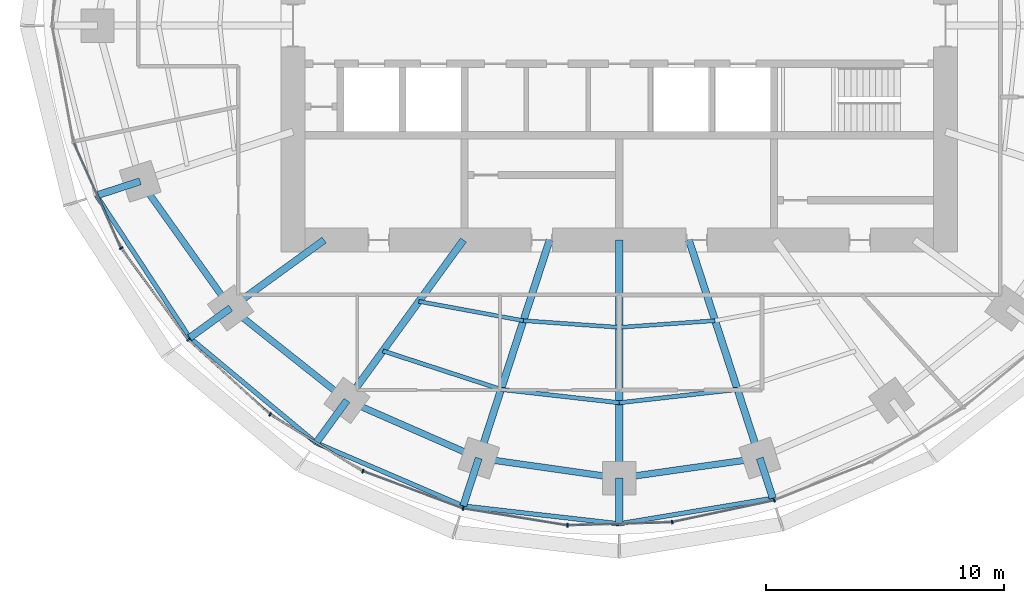
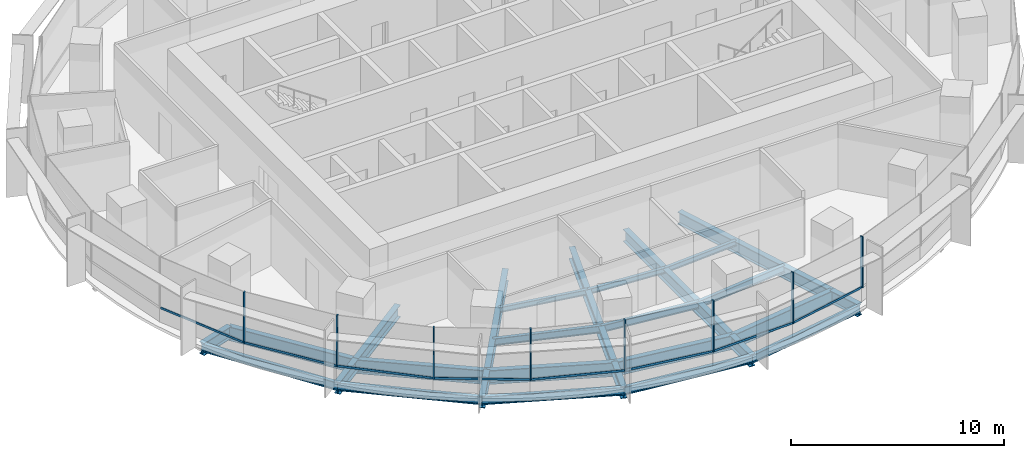
# One storey, part 2 of 14: 27 beams, 16 members, 2 elements without a shape of their own.
"""IFC4 building model written with IfcOpenShell, lengths in metres."""

from ifc_helpers import new_model, si_unit, direction, frame, origin, origin_2d, place, context, subcontext, project, spatial, rectangle, i_section, extrude, material, material_profile, profile_set, type_object, element, aggregate, save


model = new_model("IFC4")

# Units and contexts
model_context = context("Model", 3, precision=1e-05, world=origin(), true_north=direction((0.0, 1.0)))
body_context = subcontext(model_context, "Body", "Model", "MODEL_VIEW")
ifc_project = project(units=[si_unit("LENGTHUNIT", "METRE"), si_unit("AREAUNIT", "SQUARE_METRE"), si_unit("VOLUMEUNIT", "CUBIC_METRE"), si_unit("PLANEANGLEUNIT", "RADIAN"), si_unit("MASSUNIT", "GRAM", prefix="KILO")], contexts=[model_context])

# Site, building, storey
site_placement = place(None, origin())
site = spatial("IfcSite", under=ifc_project, at=site_placement, CompositionType="ELEMENT")
building_placement = place(site_placement, origin())
building = spatial("IfcBuilding", under=site, at=building_placement, Name="Marramba Exchange Tower", CompositionType="ELEMENT")
storey_placement = place(building_placement, frame((0.0, 0.0, 203.300048828125)))
storey = spatial("IfcBuildingStorey", under=building, at=storey_placement, Name="L49", CompositionType="ELEMENT", Elevation=203.300048828125)

# Beams
ifc_material_1 = material(Name="Steel AS/NZS 3679.2 grade 300", Category="steel")
ifc_material_profile_1 = material_profile(ifc_material_1, i_section(OverallWidth=0.300048828125, OverallDepth=0.699951171875, WebThickness=0.010009765625, FlangeThickness=0.031982421875, at=origin_2d()), Name="700WB173")
ifc_profile_set_1 = profile_set([ifc_material_profile_1], Name="Steel AS/NZS 3679.2 grade 300")
beam_type_1 = type_object("IfcBeamType", Name="Cantilever girder 700WB173", PredefinedType="BEAM", material=ifc_profile_set_1)
beam_1_placement = place(storey_placement, frame((-20.109375, -6.533935546875, -0.510009765625), z_axis=(-0.951071238541, -0.308971680287, 0.0), x_axis=(0.308971680287, -0.951071238541, 0.0)))
element("IfcBeam", 1, at=beam_1_placement, inside=storey, type_object=beam_type_1, Name="Cantilever girder L49 TC12", PredefinedType="BEAM", context=body_context, shape_type="SweptSolid", body=[
    extrude(i_section(OverallWidth=0.300048828125, OverallDepth=0.699951171875, WebThickness=0.010009765625, FlangeThickness=0.031982421875, at=origin_2d()), origin(), (0.0, 0.0, 1.0), 1.930419921875),
])
beam_2_placement = place(storey_placement, frame((-16.3154296875, -11.853759765625, -0.510009765625), z_axis=(-0.808969966943, -0.587849974555, 0.0), x_axis=(0.587849974555, -0.808969966943, 0.0)))
element("IfcBeam", 2, at=beam_2_placement, inside=storey, type_object=beam_type_1, Name="Cantilever girder L49 TC13", PredefinedType="BEAM", context=body_context, shape_type="SweptSolid", body=[
    extrude(i_section(OverallWidth=0.300048828125, OverallDepth=0.699951171875, WebThickness=0.010009765625, FlangeThickness=0.031982421875, at=origin_2d()), origin(), (0.0, 0.0, 1.0), 2.12109375),
])
beam_3_placement = place(storey_placement, frame((-11.430419921875, -15.732666015625, -0.510009765625), z_axis=(-0.587789596657, -0.809013837992, 0.0), x_axis=(0.809013837992, -0.587789596657, 0.0)))
element("IfcBeam", 3, at=beam_3_placement, inside=storey, type_object=beam_type_1, Name="Cantilever girder L49 TC14", PredefinedType="BEAM", context=body_context, shape_type="SweptSolid", body=[
    extrude(i_section(OverallWidth=0.300048828125, OverallDepth=0.699951171875, WebThickness=0.010009765625, FlangeThickness=0.031982421875, at=origin_2d()), origin(), (0.0, 0.0, 1.0), 2.203857421875),
])
beam_4_placement = place(storey_placement, frame((-5.899658203125, -18.156982421875, -0.510009765625), z_axis=(-0.308971068529, -0.951071437281, 0.0), x_axis=(0.951071437281, -0.308971068529, 0.0)))
element("IfcBeam", 4, at=beam_4_placement, inside=storey, type_object=beam_type_1, Name="Cantilever girder L49 TC15", PredefinedType="BEAM", context=body_context, shape_type="SweptSolid", body=[
    extrude(i_section(OverallWidth=0.300048828125, OverallDepth=0.699951171875, WebThickness=0.010009765625, FlangeThickness=0.031982421875, at=origin_2d()), origin(), (0.0, 0.0, 1.0), 2.112060546875),
])
beam_5_placement = place(storey_placement, frame((0.0, -18.99609375, -0.510009765625), z_axis=(0.0, -1.0, 0.0), x_axis=(1.0, 0.0, 0.0)))
element("IfcBeam", 5, at=beam_5_placement, inside=storey, type_object=beam_type_1, Name="Cantilever girder L49 TC16", PredefinedType="BEAM", context=body_context, shape_type="SweptSolid", body=[
    extrude(i_section(OverallWidth=0.300048828125, OverallDepth=0.699951171875, WebThickness=0.010009765625, FlangeThickness=0.031982421875, at=origin_2d()), origin(), (0.0, 0.0, 1.0), 1.917724609375),
])
beam_6_placement = place(storey_placement, frame((5.899658203125, -18.156982421875, -0.510009765625), z_axis=(0.308926813415, -0.951085813138, 0.0), x_axis=(0.951085813138, 0.308926813415, 0.0)))
element("IfcBeam", 6, at=beam_6_placement, inside=storey, type_object=beam_type_1, Name="Cantilever girder L49 TC17", PredefinedType="BEAM", context=body_context, shape_type="SweptSolid", body=[
    extrude(i_section(OverallWidth=0.300048828125, OverallDepth=0.699951171875, WebThickness=0.010009765625, FlangeThickness=0.031982421875, at=origin_2d()), origin(), (0.0, 0.0, 1.0), 1.767822265625),
])
ifc_material_2 = material(Name="Steel AS/NZS 3679.1 grade 300", Category="steel")
ifc_material_profile_2 = material_profile(ifc_material_2, i_section(OverallWidth=0.166015625, OverallDepth=0.306884765625, WebThickness=0.006591796875, FlangeThickness=0.01171875, FilletRadius=0.011474609375, at=origin_2d()), Name="310UB46.2")
ifc_profile_set_2 = profile_set([ifc_material_profile_2], Name="Steel AS/NZS 3679.1 grade 300")
beam_type_2 = type_object("IfcBeamType", Name="Floor joist 310UB46.2", PredefinedType="JOIST", material=ifc_profile_set_2)
beam_7_placement = place(storey_placement, frame((-8.41162109375, -11.57763671875, -0.3134765625), z_axis=(0.983455754421, -0.181148500119, 0.0), x_axis=(0.181148500119, 0.983455754421, 0.0)))
element("IfcBeam", 7, at=beam_7_placement, inside=storey, type_object=beam_type_2, Name="Joist L49 bay 14 row 1", PredefinedType="JOIST", context=body_context, shape_type="SweptSolid", body=[
    extrude(i_section(OverallWidth=0.166015625, OverallDepth=0.306884765625, WebThickness=0.006591796875, FlangeThickness=0.01171875, FilletRadius=0.011474609375, at=origin_2d()), origin(), (0.0, 0.0, 1.0), 4.4609375),
])
for number, where, z_axis, x_axis, name in (
    (8, (-4.0244140625, -12.3857421875, -0.3134765625), (0.99759625901, -0.069294328838, 0.0), (0.069294328838, 0.99759625901, 0.0), "Joist L49 bay 15 row 1"),
    (9, (0.0, -12.665283203125, -0.3134765625), (0.99759625901, 0.069294328838, 0.0), (-0.069294328838, 0.99759625901, 0.0), "Joist L49 bay 16 row 1"),
):
    element("IfcBeam", number, at=place(storey_placement, frame(where, z_axis=z_axis, x_axis=x_axis)), inside=storey, type_object=beam_type_2, Name=name, PredefinedType="JOIST", context=body_context, shape_type="SweptSolid", body=[
        extrude(i_section(OverallWidth=0.166015625, OverallDepth=0.306884765625, WebThickness=0.006591796875, FlangeThickness=0.01171875, FilletRadius=0.011474609375, at=origin_2d()), origin(), (0.0, 0.0, 1.0), 4.0341796875),
    ])
ifc_material_profile_3 = material_profile(ifc_material_2, i_section(OverallWidth=0.177978515625, OverallDepth=0.406005859375, WebThickness=0.0078125, FlangeThickness=0.0126953125, FilletRadius=0.011474609375, at=origin_2d()), Name="410UB59.7")
ifc_profile_set_3 = profile_set([ifc_material_profile_3], Name="Steel AS/NZS 3679.1 grade 300")
beam_type_3 = type_object("IfcBeamType", Name="Floor joist 410UB59.7", PredefinedType="JOIST", material=ifc_profile_set_3)
beam_8_placement = place(storey_placement, frame((-9.9208984375, -13.655029296875, -0.363037109375), z_axis=(0.950764024931, -0.309915744834, 0.0), x_axis=(0.309915744834, 0.950764024931, 0.0)))
element("IfcBeam", 10, at=beam_8_placement, inside=storey, type_object=beam_type_3, Name="Joist L49 bay 14 row 2", PredefinedType="JOIST", context=body_context, shape_type="SweptSolid", body=[
    extrude(i_section(OverallWidth=0.177978515625, OverallDepth=0.406005859375, WebThickness=0.0078125, FlangeThickness=0.0126953125, FilletRadius=0.011474609375, at=origin_2d()), origin(), (0.0, 0.0, 1.0), 5.2158203125),
])
for number, where, z_axis, x_axis, name in (
    (11, (-4.9619140625, -15.271484375, -0.363037109375), (0.993712018573, -0.111966174106, 0.0), (0.111966174106, 0.993712018573, 0.0), "Joist L49 bay 15 row 2"),
    (12, (0.0, -15.83056640625, -0.363037109375), (0.993712018573, 0.111966174106, 0.0), (-0.111966174106, 0.993712018573, 0.0), "Joist L49 bay 16 row 2"),
):
    element("IfcBeam", number, at=place(storey_placement, frame(where, z_axis=z_axis, x_axis=x_axis)), inside=storey, type_object=beam_type_3, Name=name, PredefinedType="JOIST", context=body_context, shape_type="SweptSolid", body=[
        extrude(i_section(OverallWidth=0.177978515625, OverallDepth=0.406005859375, WebThickness=0.0078125, FlangeThickness=0.0126953125, FilletRadius=0.011474609375, at=origin_2d()), origin(), (0.0, 0.0, 1.0), 4.993408203125),
    ])

# Curtain wall, members
ifc_material_3 = material(Name="Aluminium framing, bronze anodised", Category="aluminium")
curtain_wall_type = type_object("IfcCurtainWallType", Name="Office ribbon curtain wall", PredefinedType="USERDEFINED", material=ifc_material_3)
curtain_wall_1_placement = place(storey_placement, origin())
curtain_wall_1 = element("IfcCurtainWall", 13, at=curtain_wall_1_placement, inside=storey, type_object=curtain_wall_type, Name="Curtain wall CW4 L49 F16-F20", ObjectType="RIBBON CURTAIN WALL", PredefinedType="USERDEFINED")
ifc_material_4 = material(Name="Aluminium mullion, bronze anodised", Category="aluminium")
ifc_material_profile_4 = material_profile(ifc_material_4, rectangle(XDim=0.159912109375, YDim=0.06005859375, at=origin_2d()), Name="CW4 mullion 60x160")
ifc_profile_set_4 = profile_set([ifc_material_profile_4], Name="Aluminium mullion, bronze anodised")
member_type_1 = type_object("IfcMemberType", Name="Office ribbon curtain wall mullion", PredefinedType="MULLION", material=ifc_profile_set_4)
member_1_placement = place(storey_placement, frame((-20.910400390625, -9.342041015625, 0.800048828125), z_axis=(0.0, 0.0, 1.0), x_axis=(0.806508054547, 0.591223103363, 0.0)))
member_1 = element("IfcMember", 14, at=member_1_placement, type_object=member_type_1, Name="CW4 mullion 1", PredefinedType="MULLION", context=body_context, shape_type="SweptSolid", body=[
    extrude(rectangle(XDim=0.159912109375, YDim=0.06005859375, at=origin_2d()), origin(), (0.0, 0.0, 1.0), 2.93994140625),
])
member_2_placement = place(storey_placement, frame((-18.090087890625, -13.179443359375, 0.800048828125), z_axis=(0.0, 0.0, 1.0), x_axis=(0.67567103474, 0.737203264245, 0.0)))
member_2 = element("IfcMember", 15, at=member_2_placement, type_object=member_type_1, Name="CW4 mullion 1", PredefinedType="MULLION", context=body_context, shape_type="SweptSolid", body=[
    extrude(rectangle(XDim=0.159912109375, YDim=0.06005859375, at=origin_2d()), origin(), (0.0, 0.0, 1.0), 2.93994140625),
])
member_3_placement = place(storey_placement, frame((-14.655029296875, -16.320068359375, 0.800048828125), z_axis=(0.0, 0.0, 1.0), x_axis=(0.52305160869, 0.85230101176, 0.0)))
member_3 = element("IfcMember", 16, at=member_3_placement, type_object=member_type_1, Name="CW4 mullion 1", PredefinedType="MULLION", context=body_context, shape_type="SweptSolid", body=[
    extrude(rectangle(XDim=0.159912109375, YDim=0.06005859375, at=origin_2d()), origin(), (0.0, 0.0, 1.0), 2.93994140625),
])

curtain_wall_2_placement = place(storey_placement, origin())
curtain_wall_2 = element("IfcCurtainWall", 17, at=curtain_wall_2_placement, inside=storey, type_object=curtain_wall_type, Name="Curtain wall CW4 L49 F21-F25", ObjectType="RIBBON CURTAIN WALL", PredefinedType="USERDEFINED")
member_4_placement = place(storey_placement, frame((-10.76318359375, -18.70166015625, 0.800048828125), z_axis=(0.0, 0.0, 1.0), x_axis=(0.349459197687, 0.936951583142, 0.0)))
member_4 = element("IfcMember", 18, at=member_4_placement, type_object=member_type_1, Name="CW4 mullion 1", PredefinedType="MULLION", context=body_context, shape_type="SweptSolid", body=[
    extrude(rectangle(XDim=0.159912109375, YDim=0.06005859375, at=origin_2d()), origin(), (0.0, 0.0, 1.0), 2.93994140625),
])
member_5_placement = place(storey_placement, frame((-6.553466796875, -20.265625, 0.800048828125), z_axis=(0.0, 0.0, 1.0), x_axis=(0.161145726194, 0.986930623159, 0.0)))
member_5 = element("IfcMember", 19, at=member_5_placement, type_object=member_type_1, Name="CW4 mullion 1", PredefinedType="MULLION", context=body_context, shape_type="SweptSolid", body=[
    extrude(rectangle(XDim=0.159912109375, YDim=0.06005859375, at=origin_2d()), origin(), (0.0, 0.0, 1.0), 2.93994140625),
])
member_6_placement = place(storey_placement, frame((-2.174560546875, -20.974853515625, 0.800048828125), z_axis=(0.0, 0.0, 1.0), x_axis=(-0.029393451762, 0.99956791915, 0.0)))
member_6 = element("IfcMember", 20, at=member_6_placement, type_object=member_type_1, Name="CW4 mullion 1", PredefinedType="MULLION", context=body_context, shape_type="SweptSolid", body=[
    extrude(rectangle(XDim=0.159912109375, YDim=0.06005859375, at=origin_2d()), origin(), (0.0, 0.0, 1.0), 2.93994140625),
])
member_7_placement = place(storey_placement, frame((2.220458984375, -20.840087890625, 0.800048828125), z_axis=(0.0, 0.0, 1.0), x_axis=(-0.208332456608, 0.978058069607, 0.0)))
member_7 = element("IfcMember", 21, at=member_7_placement, type_object=member_type_1, Name="CW4 mullion 1", PredefinedType="MULLION", context=body_context, shape_type="SweptSolid", body=[
    extrude(rectangle(XDim=0.159912109375, YDim=0.06005859375, at=origin_2d()), origin(), (0.0, 0.0, 1.0), 2.93994140625),
])
member_8_placement = place(storey_placement, frame((6.504638671875, -19.922607421875, 0.800048828125), z_axis=(0.0, 0.0, 1.0), x_axis=(-0.367374724195, 0.93007301435, 0.0)))
member_8 = element("IfcMember", 22, at=member_8_placement, type_object=member_type_1, Name="CW4 mullion 1", PredefinedType="MULLION", context=body_context, shape_type="SweptSolid", body=[
    extrude(rectangle(XDim=0.159912109375, YDim=0.06005859375, at=origin_2d()), origin(), (0.0, 0.0, 1.0), 2.93994140625),
])

# Member
ifc_material_5 = material(Name="Aluminium transom, bronze anodised", Category="aluminium")
ifc_material_profile_5 = material_profile(ifc_material_5, rectangle(XDim=0.06005859375, YDim=0.1201171875, at=origin_2d()), Name="CW4 transom 60x120")
ifc_profile_set_5 = profile_set([ifc_material_profile_5], Name="Aluminium transom, bronze anodised")
member_type_2 = type_object("IfcMemberType", Name="Office ribbon curtain wall transom", PredefinedType="USERDEFINED", material=ifc_profile_set_5)
member_9_placement = place(storey_placement, frame((-22.888671875, -4.925048828125, 0.829833984375), z_axis=(0.407541263131, -0.913186792965, 0.0), x_axis=(0.913186792965, 0.407541263131, 0.0)))
member_9 = element("IfcMember", 23, at=member_9_placement, type_object=member_type_2, Name="CW4 sill transom", ObjectType="TRANSOM", PredefinedType="USERDEFINED", context=body_context, shape_type="SweptSolid", body=[
    extrude(rectangle(XDim=0.06005859375, YDim=0.1201171875, at=origin_2d()), origin(), (0.0, 0.0, 1.0), 4.810546875),
])

member_10_placement = place(storey_placement, frame((-20.892578125, -9.3662109375, 0.829833984375), z_axis=(0.591226373184, -0.806505657545, 0.0), x_axis=(0.806505657545, 0.591226373184, 0.0)))
member_10 = element("IfcMember", 24, at=member_10_placement, type_object=member_type_2, Name="CW4 sill transom", ObjectType="TRANSOM", PredefinedType="USERDEFINED", context=body_context, shape_type="SweptSolid", body=[
    extrude(rectangle(XDim=0.06005859375, YDim=0.1201171875, at=origin_2d()), origin(), (0.0, 0.0, 1.0), 4.702880859375),
])

member_11_placement = place(storey_placement, frame((-18.06787109375, -13.19970703125, 0.829833984375), z_axis=(0.737176195283, -0.675700567639, 0.0), x_axis=(0.675700567639, 0.737176195283, 0.0)))
member_11 = element("IfcMember", 25, at=member_11_placement, type_object=member_type_2, Name="CW4 sill transom", ObjectType="TRANSOM", PredefinedType="USERDEFINED", context=body_context, shape_type="SweptSolid", body=[
    extrude(rectangle(XDim=0.06005859375, YDim=0.1201171875, at=origin_2d()), origin(), (0.0, 0.0, 1.0), 4.5947265625),
])

member_12_placement = place(storey_placement, frame((-14.62939453125, -16.335693359375, 0.829833984375), z_axis=(0.852298011003, -0.523056498325, 0.0), x_axis=(0.523056498325, 0.852298011003, 0.0)))
member_12 = element("IfcMember", 26, at=member_12_placement, type_object=member_type_2, Name="CW4 sill transom", ObjectType="TRANSOM", PredefinedType="USERDEFINED", context=body_context, shape_type="SweptSolid", body=[
    extrude(rectangle(XDim=0.06005859375, YDim=0.1201171875, at=origin_2d()), origin(), (0.0, 0.0, 1.0), 4.503173828125),
])

aggregate(curtain_wall_1, [member_9, member_1, member_10, member_2, member_11, member_3, member_12])

member_13_placement = place(storey_placement, frame((-10.735107421875, -18.712158203125, 0.829833984375), z_axis=(0.936954830677, -0.349450490444, 0.0), x_axis=(0.349450490444, 0.936954830677, 0.0)))
member_13 = element("IfcMember", 27, at=member_13_placement, type_object=member_type_2, Name="CW4 sill transom", ObjectType="TRANSOM", PredefinedType="USERDEFINED", context=body_context, shape_type="SweptSolid", body=[
    extrude(rectangle(XDim=0.06005859375, YDim=0.1201171875, at=origin_2d()), origin(), (0.0, 0.0, 1.0), 4.431396484375),
])

member_14_placement = place(storey_placement, frame((-6.52392578125, -20.2705078125, 0.829833984375), z_axis=(0.986937225488, -0.161105285282, 0.0), x_axis=(0.161105285282, 0.986937225488, 0.0)))
member_14 = element("IfcMember", 28, at=member_14_placement, type_object=member_type_2, Name="CW4 sill transom", ObjectType="TRANSOM", PredefinedType="USERDEFINED", context=body_context, shape_type="SweptSolid", body=[
    extrude(rectangle(XDim=0.06005859375, YDim=0.1201171875, at=origin_2d()), origin(), (0.0, 0.0, 1.0), 4.37646484375),
])

member_15_placement = place(storey_placement, frame((-2.144775390625, -20.973876953125, 0.829833984375), z_axis=(0.999568338005, 0.029379204529, 0.0), x_axis=(-0.029379204529, 0.999568338005, 0.0)))
member_15 = element("IfcMember", 29, at=member_15_placement, type_object=member_type_2, Name="CW4 sill transom", ObjectType="TRANSOM", PredefinedType="USERDEFINED", context=body_context, shape_type="SweptSolid", body=[
    extrude(rectangle(XDim=0.06005859375, YDim=0.1201171875, at=origin_2d()), origin(), (0.0, 0.0, 1.0), 4.337890625),
])

member_16_placement = place(storey_placement, frame((2.249755859375, -20.833984375, 0.829833984375), z_axis=(0.978057951839, 0.208333009494, 0.0), x_axis=(-0.208333009494, 0.978057951839, 0.0)))
member_16 = element("IfcMember", 30, at=member_16_placement, type_object=member_type_2, Name="CW4 sill transom", ObjectType="TRANSOM", PredefinedType="USERDEFINED", context=body_context, shape_type="SweptSolid", body=[
    extrude(rectangle(XDim=0.06005859375, YDim=0.1201171875, at=origin_2d()), origin(), (0.0, 0.0, 1.0), 4.32177734375),
])

aggregate(curtain_wall_2, [member_4, member_13, member_5, member_14, member_6, member_15, member_7, member_16, member_8])

# Beams
ifc_material_profile_6 = material_profile(ifc_material_1, i_section(OverallWidth=0.300048828125, OverallDepth=0.699951171875, WebThickness=0.010009765625, FlangeThickness=0.031982421875, at=origin_2d()), Name="700WB173")
ifc_profile_set_6 = profile_set([ifc_material_profile_6], Name="Steel AS/NZS 3679.2 grade 300")
beam_type_4 = type_object("IfcBeamType", Name="Radial girder 700WB173", PredefinedType="BEAM", material=ifc_profile_set_6)
beam_9_placement = place(storey_placement, frame((-12.387451171875, -9.0, -0.510009765625), z_axis=(-0.809025189606, -0.58777397236, 0.0), x_axis=(0.58777397236, -0.809025189606, 0.0)))
element("IfcBeam", 31, at=beam_9_placement, inside=storey, type_object=beam_type_4, Name="Radial girder L49 TC13", PredefinedType="BEAM", context=body_context, shape_type="SweptSolid", body=[
    extrude(i_section(OverallWidth=0.300048828125, OverallDepth=0.699951171875, WebThickness=0.010009765625, FlangeThickness=0.031982421875, at=origin_2d()), origin(), (0.0, 0.0, 1.0), 4.855224609375),
])
beam_10_placement = place(storey_placement, frame((-6.538818359375, -9.0, -0.510009765625), z_axis=(-0.587787877172, -0.809015087282, 0.0), x_axis=(0.809015087282, -0.587787877172, 0.0)))
element("IfcBeam", 32, at=beam_10_placement, inside=storey, type_object=beam_type_4, Name="Radial girder L49 TC14", PredefinedType="BEAM", context=body_context, shape_type="SweptSolid", body=[
    extrude(i_section(OverallWidth=0.300048828125, OverallDepth=0.699951171875, WebThickness=0.010009765625, FlangeThickness=0.031982421875, at=origin_2d()), origin(), (0.0, 0.0, 1.0), 8.322021484375),
])
beam_11_placement = place(storey_placement, frame((-2.92431640625, -9.0, -0.510009765625), z_axis=(-0.309022428985, -0.951054750466, 0.0), x_axis=(0.951054750466, -0.309022428985, 0.0)))
element("IfcBeam", 33, at=beam_11_placement, inside=storey, type_object=beam_type_4, Name="Radial girder L49 TC15", PredefinedType="BEAM", context=body_context, shape_type="SweptSolid", body=[
    extrude(i_section(OverallWidth=0.300048828125, OverallDepth=0.699951171875, WebThickness=0.010009765625, FlangeThickness=0.031982421875, at=origin_2d()), origin(), (0.0, 0.0, 1.0), 9.628173828125),
])
beam_12_placement = place(storey_placement, frame((0.0, -9.0, -0.510009765625), z_axis=(0.0, -1.0, 0.0), x_axis=(1.0, 0.0, 0.0)))
element("IfcBeam", 34, at=beam_12_placement, inside=storey, type_object=beam_type_4, Name="Radial girder L49 TC16", PredefinedType="BEAM", context=body_context, shape_type="SweptSolid", body=[
    extrude(i_section(OverallWidth=0.300048828125, OverallDepth=0.699951171875, WebThickness=0.010009765625, FlangeThickness=0.031982421875, at=origin_2d()), origin(), (0.0, 0.0, 1.0), 9.99609375),
])
beam_13_placement = place(storey_placement, frame((2.92431640625, -9.0, -0.510009765625), z_axis=(0.309022428985, -0.951054750466, 0.0), x_axis=(0.951054750466, 0.309022428985, 0.0)))
element("IfcBeam", 35, at=beam_13_placement, inside=storey, type_object=beam_type_4, Name="Radial girder L49 TC17", PredefinedType="BEAM", context=body_context, shape_type="SweptSolid", body=[
    extrude(i_section(OverallWidth=0.300048828125, OverallDepth=0.699951171875, WebThickness=0.010009765625, FlangeThickness=0.031982421875, at=origin_2d()), origin(), (0.0, 0.0, 1.0), 9.628173828125),
])
ifc_material_profile_7 = material_profile(ifc_material_1, i_section(OverallWidth=0.27490234375, OverallDepth=0.800048828125, WebThickness=0.010009765625, FlangeThickness=0.02490234375, at=origin_2d()), Name="800WB168")
ifc_profile_set_7 = profile_set([ifc_material_profile_7], Name="Steel AS/NZS 3679.2 grade 300")
beam_type_5 = type_object("IfcBeamType", Name="Ring beam 800WB168", PredefinedType="SPANDREL", material=ifc_profile_set_7)
beam_14_placement = place(storey_placement, frame((-20.109375, -6.533935546875, -0.56005859375), z_axis=(0.580637181111, -0.814162430914, 0.0), x_axis=(0.814162430914, 0.580637181111, 0.0)))
element("IfcBeam", 36, at=beam_14_placement, inside=storey, type_object=beam_type_5, Name="Ring beam L49 TC12-TC13", PredefinedType="SPANDREL", context=body_context, shape_type="SweptSolid", body=[
    extrude(i_section(OverallWidth=0.27490234375, OverallDepth=0.800048828125, WebThickness=0.010009765625, FlangeThickness=0.02490234375, at=origin_2d()), origin(), (0.0, 0.0, 1.0), 6.5341796875),
])
beam_15_placement = place(storey_placement, frame((-16.3154296875, -11.853759765625, -0.56005859375), z_axis=(0.783139438128, -0.621846138887, 0.0), x_axis=(0.621846138887, 0.783139438128, 0.0)))
element("IfcBeam", 37, at=beam_15_placement, inside=storey, type_object=beam_type_5, Name="Ring beam L49 TC13-TC14", PredefinedType="SPANDREL", context=body_context, shape_type="SweptSolid", body=[
    extrude(i_section(OverallWidth=0.27490234375, OverallDepth=0.800048828125, WebThickness=0.010009765625, FlangeThickness=0.02490234375, at=origin_2d()), origin(), (0.0, 0.0, 1.0), 6.23779296875),
])
beam_16_placement = place(storey_placement, frame((-11.430419921875, -15.732666015625, -0.56005859375), z_axis=(0.915876892158, -0.4014592363, 0.0), x_axis=(0.4014592363, 0.915876892158, 0.0)))
element("IfcBeam", 38, at=beam_16_placement, inside=storey, type_object=beam_type_5, Name="Ring beam L49 TC14-TC15", PredefinedType="SPANDREL", context=body_context, shape_type="SweptSolid", body=[
    extrude(i_section(OverallWidth=0.27490234375, OverallDepth=0.800048828125, WebThickness=0.010009765625, FlangeThickness=0.02490234375, at=origin_2d()), origin(), (0.0, 0.0, 1.0), 6.038818359375),
])
for number, where, z_axis, x_axis, name in (
    (39, (-5.899658203125, -18.156982421875, -0.56005859375), (0.990036163016, -0.140813337152, 0.0), (0.140813337152, 0.990036163016, 0.0), "Ring beam L49 TC15-TC16"),
    (40, (0.0, -18.99609375, -0.56005859375), (0.990036163016, 0.140813337152, 0.0), (-0.140813337152, 0.990036163016, 0.0), "Ring beam L49 TC16-TC17"),
):
    element("IfcBeam", number, at=place(storey_placement, frame(where, z_axis=z_axis, x_axis=x_axis)), inside=storey, type_object=beam_type_5, Name=name, PredefinedType="SPANDREL", context=body_context, shape_type="SweptSolid", body=[
        extrude(i_section(OverallWidth=0.27490234375, OverallDepth=0.800048828125, WebThickness=0.010009765625, FlangeThickness=0.02490234375, at=origin_2d()), origin(), (0.0, 0.0, 1.0), 5.958984375),
    ])
ifc_material_profile_8 = material_profile(ifc_material_2, i_section(OverallWidth=0.19091796875, OverallDepth=0.4599609375, WebThickness=0.010009765625, FlangeThickness=0.01611328125, FilletRadius=0.011474609375, at=origin_2d()), Name="460UB82.1")
ifc_profile_set_8 = profile_set([ifc_material_profile_8], Name="Steel AS/NZS 3679.1 grade 300")
beam_type_6 = type_object("IfcBeamType", Name="Slab edge beam 460UB82.1", PredefinedType="SPANDREL", material=ifc_profile_set_8)
beam_17_placement = place(storey_placement, frame((-21.9453125, -7.13037109375, -0.39013671875), z_axis=(0.548275412052, -0.83629783722, 0.0), x_axis=(0.83629783722, 0.548275412052, 0.0)))
element("IfcBeam", 41, at=beam_17_placement, inside=storey, type_object=beam_type_6, Name="Slab edge beam L49 TC12-TC13", PredefinedType="SPANDREL", context=body_context, shape_type="SweptSolid", body=[
    extrude(i_section(OverallWidth=0.19091796875, OverallDepth=0.4599609375, WebThickness=0.010009765625, FlangeThickness=0.01611328125, FilletRadius=0.011474609375, at=origin_2d()), origin(), (0.0, 0.0, 1.0), 7.138916015625),
])
beam_18_placement = place(storey_placement, frame((-18.03125, -13.1005859375, -0.39013671875), z_axis=(0.768658895231, -0.639658895649, 0.0), x_axis=(0.639658895649, 0.768658895231, 0.0)))
element("IfcBeam", 42, at=beam_18_placement, inside=storey, type_object=beam_type_6, Name="Slab edge beam L49 TC13-TC14", PredefinedType="SPANDREL", context=body_context, shape_type="SweptSolid", body=[
    extrude(i_section(OverallWidth=0.19091796875, OverallDepth=0.4599609375, WebThickness=0.010009765625, FlangeThickness=0.01611328125, FilletRadius=0.011474609375, at=origin_2d()), origin(), (0.0, 0.0, 1.0), 6.902099609375),
])
beam_19_placement = place(storey_placement, frame((-12.725830078125, -17.515625, -0.39013671875), z_axis=(0.9189117964, -0.394463065999, 0.0), x_axis=(0.394463065999, 0.9189117964, 0.0)))
element("IfcBeam", 43, at=beam_19_placement, inside=storey, type_object=beam_type_6, Name="Slab edge beam L49 TC14-TC15", PredefinedType="SPANDREL", context=body_context, shape_type="SweptSolid", body=[
    extrude(i_section(OverallWidth=0.19091796875, OverallDepth=0.4599609375, WebThickness=0.010009765625, FlangeThickness=0.01611328125, FilletRadius=0.011474609375, at=origin_2d()), origin(), (0.0, 0.0, 1.0), 6.71826171875),
])
beam_20_placement = place(storey_placement, frame((-6.55224609375, -20.165771484375, -0.39013671875), z_axis=(0.993546030009, -0.113429653325, 0.0), x_axis=(0.113429653325, 0.993546030009, 0.0)))
element("IfcBeam", 44, at=beam_20_placement, inside=storey, type_object=beam_type_6, Name="Slab edge beam L49 TC15-TC16", PredefinedType="SPANDREL", context=body_context, shape_type="SweptSolid", body=[
    extrude(i_section(OverallWidth=0.19091796875, OverallDepth=0.4599609375, WebThickness=0.010009765625, FlangeThickness=0.01611328125, FilletRadius=0.011474609375, at=origin_2d()), origin(), (0.0, 0.0, 1.0), 6.5947265625),
])
beam_21_placement = place(storey_placement, frame((0.0, -20.913818359375, -0.39013671875), z_axis=(0.986365637189, 0.164568617219, 0.0), x_axis=(-0.164568617219, 0.986365637189, 0.0)))
element("IfcBeam", 45, at=beam_21_placement, inside=storey, type_object=beam_type_6, Name="Slab edge beam L49 TC16-TC17", PredefinedType="SPANDREL", context=body_context, shape_type="SweptSolid", body=[
    extrude(i_section(OverallWidth=0.19091796875, OverallDepth=0.4599609375, WebThickness=0.010009765625, FlangeThickness=0.01611328125, FilletRadius=0.011474609375, at=origin_2d()), origin(), (0.0, 0.0, 1.0), 6.534912109375),
])

save(model, "model.ifc")
